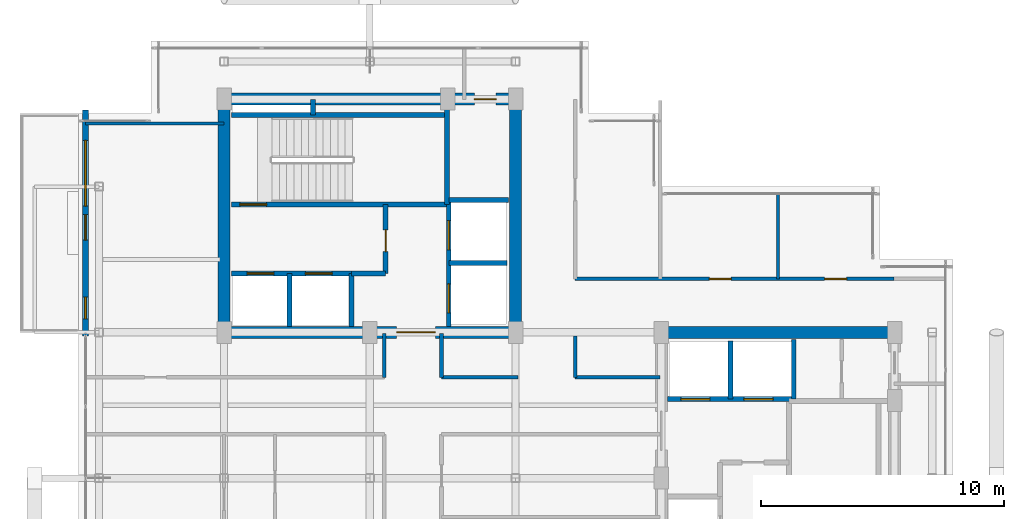
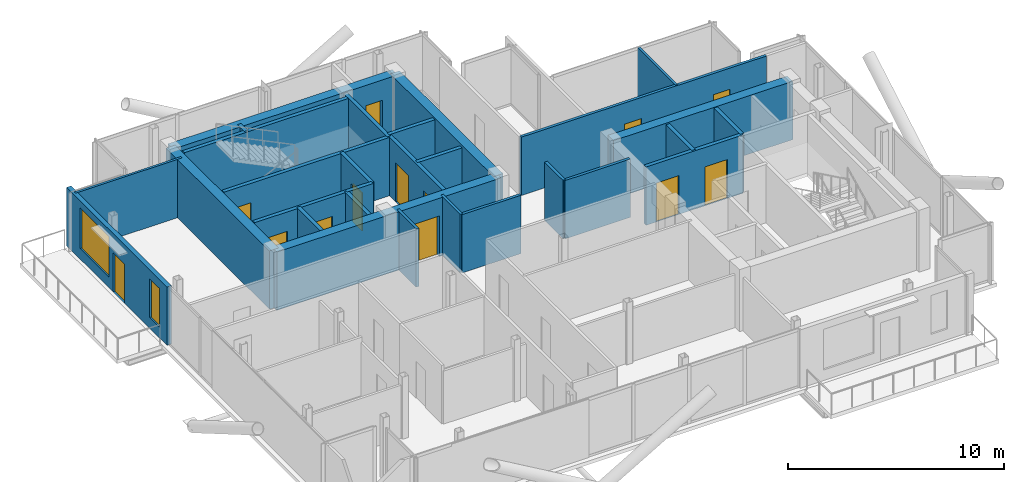
# One storey, part 15 of 18: 29 walls, 13 doors, 2 windows, 15 openings.
"""IFC4 building model written with IfcOpenShell, lengths in metres."""

from ifc_helpers import new_model, si_unit, direction, frame, frame_2d, origin, place, context, subcontext, project, spatial, rectangle, extrude, material, layer, layer_set, type_object, element, fill, save


model = new_model("IFC4")

# Units and contexts
model_context = context("Model", 3, precision=1e-05, world=origin(), true_north=direction((0.0, 1.0)))
body_context = subcontext(model_context, "Body", "Model", "MODEL_VIEW")
ifc_project = project(units=[si_unit("LENGTHUNIT", "METRE"), si_unit("AREAUNIT", "SQUARE_METRE"), si_unit("VOLUMEUNIT", "CUBIC_METRE"), si_unit("PLANEANGLEUNIT", "RADIAN"), si_unit("MASSUNIT", "GRAM", prefix="KILO"), si_unit("THERMODYNAMICTEMPERATUREUNIT", "KELVIN"), si_unit("POWERUNIT", "WATT")], contexts=[model_context])

# Site, building, storey
site_placement = place(None, origin())
site = spatial("IfcSite", under=ifc_project, at=site_placement, CompositionType="ELEMENT")
building_placement = place(site_placement, origin())
building = spatial("IfcBuilding", under=site, at=building_placement, Name="Svarakhadi Broadcast Tower", CompositionType="ELEMENT")
storey_placement = place(building_placement, frame((0.0, 0.0, 260.699951171875)))
storey = spatial("IfcBuildingStorey", under=building, at=storey_placement, Name="L65", CompositionType="ELEMENT", Elevation=260.699951171875)

# Wall, openings, door, windows
ifc_material_1 = material(Name="Concrete C40/50 (IS 456 M50)", Category="concrete")
ifc_layer_1 = layer(ifc_material_1, 0.239990234375)
ifc_layer_set_1 = layer_set([ifc_layer_1], Name="Concrete C40/50 (IS 456 M50)")
wall_type_1 = type_object("IfcWallType", Name="Wall_Ext_240", PredefinedType="SOLIDWALL", material=ifc_layer_set_1)
wall_1_placement = place(storey_placement, frame((0.300048828125, 17.85498046875, 0.0), z_axis=(0.0, 0.0, 1.0), x_axis=(0.0, 1.0, 0.0)))
wall_1 = element("IfcWall", 1, at=wall_1_placement, inside=storey, type_object=wall_type_1, Name="L65 West Tree Balcony Spandrel Wall", PredefinedType="SOLIDWALL", context=body_context, shape_type="SweptSolid", body=[
    extrude(rectangle(XDim=9.2900390625, YDim=0.239990234375, at=frame_2d((4.64501953125, 0.0))), origin(), (0.0, 0.0, 1.0), 3.300048828125),
])
opening_1_placement = place(wall_1_placement, frame((3.945068359375, 0.0, 0.0)))
opening_1 = element("IfcOpeningElement", 2, at=opening_1_placement, cuts=wall_1, Name="Opening ED-06", PredefinedType="OPENING", context=body_context, shape_type="SweptSolid", body=[
    extrude(rectangle(XDim=1.050048828125, YDim=2.199951171875, at=frame_2d((0.52490234375, 1.10009765625))), frame((0.0, 0.1298828125, 0.0), z_axis=(0.0, -1.0, 0.0), x_axis=(1.0, 0.0, 0.0)), (0.0, 0.0, 1.0), 0.260009765625),
])
opening_2_placement = place(wall_1_placement, frame((5.344970703125, 0.0, 0.60009765625)))
opening_2 = element("IfcOpeningElement", 3, at=opening_2_placement, cuts=wall_1, Name="Opening WN-07", PredefinedType="OPENING", context=body_context, shape_type="SweptSolid", body=[
    extrude(rectangle(XDim=2.699951171875, YDim=2.300048828125, at=frame_2d((1.35009765625, 1.14990234375))), frame((0.0, 0.1298828125, 0.0), z_axis=(0.0, -1.0, 0.0), x_axis=(1.0, 0.0, 0.0)), (0.0, 0.0, 1.0), 0.260009765625),
])
opening_3_placement = place(wall_1_placement, frame((0.699951171875, 0.0, 0.60009765625)))
opening_3 = element("IfcOpeningElement", 4, at=opening_3_placement, cuts=wall_1, Name="Opening WN-04", PredefinedType="OPENING", context=body_context, shape_type="SweptSolid", body=[
    extrude(rectangle(XDim=0.89990234375, YDim=2.199951171875, at=frame_2d((0.449951171875, 1.10009765625))), frame((0.0, 0.1298828125, 0.0), z_axis=(0.0, -1.0, 0.0), x_axis=(1.0, 0.0, 0.0)), (0.0, 0.0, 1.0), 0.260009765625),
])
ifc_material_2 = material(Name="Anodised Bronze Aluminium AA 6063-T6", Category="aluminium")
door_type_1 = type_object("IfcDoorType", Name="Door_Ext_ED06", OperationType="SINGLE_SWING_RIGHT", PredefinedType="DOOR", material=ifc_material_2)
door_1_placement = place(opening_1_placement, origin())
door_1 = element("IfcDoor", 5, at=door_1_placement, inside=storey, type_object=door_type_1, Name="L65 West Tree Balcony Door", OperationType="SINGLE_SWING_RIGHT", OverallHeight=2.199951171875, OverallWidth=1.050048828125, PredefinedType="DOOR", context=body_context, shape_type="SweptSolid", body=[
    extrude(rectangle(XDim=1.050048828125, YDim=2.199951171875, at=frame_2d((0.52490234375, 1.10009765625))), frame((0.0, 0.02490234375, 0.0), z_axis=(0.0, -1.0, 0.0), x_axis=(1.0, 0.0, 0.0)), (0.0, 0.0, 1.0), 0.050048828125),
])
fill(opening_1, door_1)
ifc_material_3 = material(Name="Double Low-E Laminated Acoustic Glass IGU 36 mm", Category="glass")
window_type_1 = type_object("IfcWindowType", Name="Win_Resi_WN07", PartitioningType="SINGLE_PANEL", PredefinedType="WINDOW", material=ifc_material_3)
window_1_placement = place(opening_2_placement, origin())
window_1 = element("IfcWindow", 6, at=window_1_placement, inside=storey, type_object=window_type_1, Name="L65 West Tree Balcony Window", OverallHeight=2.300048828125, OverallWidth=2.699951171875, PartitioningType="SINGLE_PANEL", PredefinedType="WINDOW", context=body_context, shape_type="SweptSolid", body=[
    extrude(rectangle(XDim=2.699951171875, YDim=2.300048828125, at=frame_2d((1.35009765625, 1.14990234375))), frame((0.0, 0.030029296875, 0.0), z_axis=(0.0, -1.0, 0.0), x_axis=(1.0, 0.0, 0.0)), (0.0, 0.0, 1.0), 0.06005859375),
])
fill(opening_2, window_1)
window_type_2 = type_object("IfcWindowType", Name="Win_Slot_WN04", PartitioningType="SINGLE_PANEL", PredefinedType="WINDOW", material=ifc_material_3)
window_2_placement = place(opening_3_placement, origin())
window_2 = element("IfcWindow", 7, at=window_2_placement, inside=storey, type_object=window_type_2, Name="L65 West Secondary Bedroom Slot Window", OverallHeight=2.199951171875, OverallWidth=0.89990234375, PartitioningType="SINGLE_PANEL", PredefinedType="WINDOW", context=body_context, shape_type="SweptSolid", body=[
    extrude(rectangle(XDim=0.89990234375, YDim=2.199951171875, at=frame_2d((0.449951171875, 1.10009765625))), frame((0.0, 0.030029296875, 0.0), z_axis=(0.0, -1.0, 0.0), x_axis=(1.0, 0.0, 0.0)), (0.0, 0.0, 1.0), 0.06005859375),
])
fill(opening_3, window_2)

# Walls
ifc_layer_2 = layer(ifc_material_1, 0.199951171875)
ifc_layer_set_2 = layer_set([ifc_layer_2], Name="Concrete C40/50 (IS 456 M50)")
wall_type_2 = type_object("IfcWallType", Name="Wall_Fire_200", PredefinedType="SOLIDWALL", material=ifc_layer_set_2)
wall_2_placement = place(storey_placement, frame((9.659912109375, 26.93994140625, 0.0), z_axis=(0.0, 0.0, 1.0), x_axis=(0.0, 1.0, 0.0)))
element("IfcWall", 8, at=wall_2_placement, inside=storey, type_object=wall_type_2, Name="L65 Wet Riser Shaft East Wall", PredefinedType="SOLIDWALL", context=body_context, shape_type="SweptSolid", body=[
    extrude(rectangle(XDim=0.64013671875, YDim=0.199951171875, at=frame_2d((0.320068359375, 0.0))), origin(), (0.0, 0.0, 1.0), 3.300048828125),
])
ifc_material_4 = material(Name="Fire-Rated Moisture-Resistant Gypsum Board Partition", Category="gypsum")
ifc_layer_3 = layer(ifc_material_4, 0.125)
ifc_layer_set_3 = layer_set([ifc_layer_3], Name="Fire-Rated Moisture-Resistant Gypsum Board Partition")
wall_type_3 = type_object("IfcWallType", Name="Wall_Part_125", PredefinedType="PARTITIONING", material=ifc_layer_set_3)
wall_3_placement = place(storey_placement, frame((28.800048828125, 20.199951171875, 0.0), z_axis=(0.0, 0.0, 1.0), x_axis=(0.0, 1.0, 0.0)))
element("IfcWall", 9, at=wall_3_placement, inside=storey, type_object=wall_type_3, Name="L65 Harbour Sky Club Reading Room Wall", PredefinedType="PARTITIONING", context=body_context, shape_type="SweptSolid", body=[
    extrude(rectangle(XDim=3.5, YDim=0.125, at=frame_2d((1.75, 0.0))), origin(), (0.0, 0.0, 1.0), 3.300048828125),
])
wall_4_placement = place(storey_placement, frame((0.300048828125, 26.60009765625, 0.0), z_axis=(0.0, 0.0, 1.0), x_axis=(1.0, 0.0, 0.0)))
element("IfcWall", 10, at=wall_4_placement, inside=storey, type_object=wall_type_3, Name="L65 Harbour Yoga and Meditation Salon Wall", PredefinedType="PARTITIONING", context=body_context, shape_type="SweptSolid", body=[
    extrude(rectangle(XDim=5.699951171875, YDim=0.125, at=frame_2d((2.85009765625, 0.0))), origin(), (0.0, 0.0, 1.0), 3.300048828125),
])
ifc_material_5 = material(Name="Autoclaved Aerated Concrete Blockwork 150 mm", Category="masonry")
ifc_layer_4 = layer(ifc_material_5, 0.14990234375)
ifc_layer_set_4 = layer_set([ifc_layer_4], Name="Autoclaved Aerated Concrete Blockwork 150 mm")
wall_type_4 = type_object("IfcWallType", Name="Wall_Part_150", PredefinedType="PARTITIONING", material=ifc_layer_set_4)
for number, where, z_axis, x_axis, name in (
    (11, (12.60009765625, 16.14990234375, 0.0), (0.0, 0.0, 1.0), (0.0, 1.0, 0.0), "L65 Upper Tower Concourse Wall"),
    (12, (14.949951171875, 17.949951171875, 0.0), (0.0, 0.0, 1.0), (0.0, -1.0, 0.0), "L65 Upper Tower Concourse Wall"),
):
    element("IfcWall", number, at=place(storey_placement, frame(where, z_axis=z_axis, x_axis=x_axis)), inside=storey, type_object=wall_type_4, Name=name, PredefinedType="PARTITIONING", context=body_context, shape_type="SweptSolid", body=[
        extrude(rectangle(XDim=1.800048828125, YDim=0.14990234375, at=frame_2d((0.89990234375, 0.0))), origin(), (0.0, 0.0, 1.0), 3.300048828125),
    ])
wall_5_placement = place(storey_placement, frame((14.949951171875, 16.14990234375, 0.0), z_axis=(0.0, 0.0, 1.0), x_axis=(1.0, 0.0, 0.0)))
element("IfcWall", 13, at=wall_5_placement, inside=storey, type_object=wall_type_4, Name="L65 Upper Tower Concourse Wall", PredefinedType="PARTITIONING", context=body_context, shape_type="SweptSolid", body=[
    extrude(rectangle(XDim=3.150146484375, YDim=0.14990234375, at=frame_2d((1.5751953125, 0.0))), origin(), (0.0, 0.0, 1.0), 3.300048828125),
])

# Wall, openings, doors
wall_6_placement = place(storey_placement, frame((20.449951171875, 20.199951171875, 0.0), z_axis=(0.0, 0.0, 1.0), x_axis=(1.0, 0.0, 0.0)))
wall_6 = element("IfcWall", 14, at=wall_6_placement, inside=storey, type_object=wall_type_4, Name="L65 Upper Tower Concourse Wall", PredefinedType="PARTITIONING", context=body_context, shape_type="SweptSolid", body=[
    extrude(rectangle(XDim=13.130126953125, YDim=0.14990234375, at=frame_2d((6.56494140625, 0.0))), origin(), (0.0, 0.0, 1.0), 3.300048828125),
])
opening_4_placement = place(wall_6_placement, frame((5.52490234375, 0.0, 0.0)))
opening_4 = element("IfcOpeningElement", 15, at=opening_4_placement, cuts=wall_6, Name="Opening D-15", PredefinedType="OPENING", context=body_context, shape_type="SweptSolid", body=[
    extrude(rectangle(XDim=0.89990234375, YDim=2.10009765625, at=frame_2d((0.449951171875, 1.050048828125))), frame((0.0, 0.0849609375, 0.0), z_axis=(0.0, -1.0, 0.0), x_axis=(1.0, 0.0, 0.0)), (0.0, 0.0, 1.0), 0.169921875),
])
opening_5_placement = place(wall_6_placement, frame((10.27490234375, 0.0, 0.0)))
opening_5 = element("IfcOpeningElement", 16, at=opening_5_placement, cuts=wall_6, Name="Opening D-14", PredefinedType="OPENING", context=body_context, shape_type="SweptSolid", body=[
    extrude(rectangle(XDim=0.89990234375, YDim=2.10009765625, at=frame_2d((0.449951171875, 1.050048828125))), frame((0.0, 0.0849609375, 0.0), z_axis=(0.0, -1.0, 0.0), x_axis=(1.0, 0.0, 0.0)), (0.0, 0.0, 1.0), 0.169921875),
])
ifc_material_6 = material(Name="Solid-Core Teak Veneer Acoustic Timber Leaf", Category="wood")
door_type_2 = type_object("IfcDoorType", Name="Door_Int_D14", OperationType="SINGLE_SWING_LEFT", PredefinedType="DOOR", material=ifc_material_6)
door_2_placement = place(opening_5_placement, origin())
door_2 = element("IfcDoor", 17, at=door_2_placement, inside=storey, type_object=door_type_2, Name="L65 Private Sommelier Tasting Pantry Door", OperationType="SINGLE_SWING_LEFT", OverallHeight=2.10009765625, OverallWidth=0.89990234375, PredefinedType="DOOR", context=body_context, shape_type="SweptSolid", body=[
    extrude(rectangle(XDim=0.89990234375, YDim=2.10009765625, at=frame_2d((0.449951171875, 1.050048828125))), frame((0.0, 0.02490234375, 0.0), z_axis=(0.0, -1.0, 0.0), x_axis=(1.0, 0.0, 0.0)), (0.0, 0.0, 1.0), 0.050048828125),
])
fill(opening_5, door_2)
door_type_3 = type_object("IfcDoorType", Name="Door_Int_D15", OperationType="SINGLE_SWING_RIGHT", PredefinedType="DOOR", material=ifc_material_6)
door_3_placement = place(opening_4_placement, origin())
door_3 = element("IfcDoor", 18, at=door_3_placement, inside=storey, type_object=door_type_3, Name="L65 Harbour Sky Club Reading Room Door", OperationType="SINGLE_SWING_RIGHT", OverallHeight=2.10009765625, OverallWidth=0.89990234375, PredefinedType="DOOR", context=body_context, shape_type="SweptSolid", body=[
    extrude(rectangle(XDim=0.89990234375, YDim=2.10009765625, at=frame_2d((0.449951171875, 1.050048828125))), frame((0.0, 0.02490234375, 0.0), z_axis=(0.0, -1.0, 0.0), x_axis=(1.0, 0.0, 0.0)), (0.0, 0.0, 1.0), 0.050048828125),
])
fill(opening_4, door_3)

# Walls
wall_7_placement = place(storey_placement, frame((20.449951171875, 17.85009765625, 0.0), z_axis=(0.0, 0.0, 1.0), x_axis=(0.0, -1.0, 0.0)))
element("IfcWall", 19, at=wall_7_placement, inside=storey, type_object=wall_type_4, Name="L65 Upper Tower Concourse Wall", PredefinedType="PARTITIONING", context=body_context, shape_type="SweptSolid", body=[
    extrude(rectangle(XDim=1.7001953125, YDim=0.14990234375, at=frame_2d((0.85009765625, 0.0))), origin(), (0.0, 0.0, 1.0), 3.300048828125),
])
wall_8_placement = place(storey_placement, frame((20.449951171875, 16.14990234375, 0.0), z_axis=(0.0, 0.0, 1.0), x_axis=(1.0, 0.0, 0.0)))
element("IfcWall", 20, at=wall_8_placement, inside=storey, type_object=wall_type_4, Name="L65 Upper Tower Concourse Wall", PredefinedType="PARTITIONING", context=body_context, shape_type="SweptSolid", body=[
    extrude(rectangle(XDim=3.5, YDim=0.14990234375, at=frame_2d((1.75, 0.0))), origin(), (0.0, 0.0, 1.0), 3.300048828125),
])

# Wall, opening, door
ifc_material_7 = material(Name="Concrete C50/60 (IS 456 M60)", Category="concrete")
ifc_layer_5 = layer(ifc_material_7, 0.199951171875)
ifc_layer_set_5 = layer_set([ifc_layer_5], Name="Concrete C50/60 (IS 456 M60)")
wall_type_5 = type_object("IfcWallType", Name="Wall_Shear_200", PredefinedType="SHEAR", material=ifc_layer_set_5)
wall_9_placement = place(storey_placement, frame((6.300048828125, 23.260009765625, 0.0), z_axis=(0.0, 0.0, 1.0), x_axis=(1.0, 0.0, 0.0)))
wall_9 = element("IfcWall", 21, at=wall_9_placement, inside=storey, type_object=wall_type_5, Name="L65 Stair ST-01 South RC Shaft Wall", PredefinedType="SHEAR", context=body_context, shape_type="SweptSolid", body=[
    extrude(rectangle(XDim=8.8798828125, YDim=0.199951171875, at=frame_2d((4.43994140625, 0.0))), origin(), (0.0, 0.0, 1.0), 3.300048828125),
])
opening_6_placement = place(wall_9_placement, frame((0.35009765625, 0.0, 0.0)))
opening_6 = element("IfcOpeningElement", 22, at=opening_6_placement, cuts=wall_9, Name="Opening D-01", PredefinedType="OPENING", context=body_context, shape_type="SweptSolid", body=[
    extrude(rectangle(XDim=1.10009765625, YDim=2.199951171875, at=frame_2d((0.550048828125, 1.10009765625))), frame((0.0, 0.10986328125, 0.0), z_axis=(0.0, -1.0, 0.0), x_axis=(1.0, 0.0, 0.0)), (0.0, 0.0, 1.0), 0.219970703125),
])
ifc_material_8 = material(Name="Galvanised Powder-Coated Fire-Rated Steel Leaf", Category="steel")
door_type_4 = type_object("IfcDoorType", Name="Door_Stair_D01", OperationType="SINGLE_SWING_LEFT", PredefinedType="DOOR", material=ifc_material_8)
door_4_placement = place(opening_6_placement, origin())
door_4 = element("IfcDoor", 23, at=door_4_placement, inside=storey, type_object=door_type_4, Name="L65 Protected Exit Stair ST-01 Fire Door", OperationType="SINGLE_SWING_LEFT", OverallHeight=2.199951171875, OverallWidth=1.10009765625, PredefinedType="DOOR", context=body_context, shape_type="SweptSolid", body=[
    extrude(rectangle(XDim=1.10009765625, YDim=2.199951171875, at=frame_2d((0.550048828125, 1.10009765625))), frame((0.0, 0.02490234375, 0.0), z_axis=(0.0, -1.0, 0.0), x_axis=(1.0, 0.0, 0.0)), (0.0, 0.0, 1.0), 0.050048828125),
])
fill(opening_6, door_4)

# Walls
wall_10_placement = place(storey_placement, frame((6.300048828125, 26.93994140625, 0.0), z_axis=(0.0, 0.0, 1.0), x_axis=(1.0, 0.0, 0.0)))
element("IfcWall", 24, at=wall_10_placement, inside=storey, type_object=wall_type_5, Name="L65 Stair ST-01 North RC Shaft Wall", PredefinedType="SHEAR", context=body_context, shape_type="SweptSolid", body=[
    extrude(rectangle(XDim=8.8798828125, YDim=0.199951171875, at=frame_2d((4.43994140625, 0.0))), origin(), (0.0, 0.0, 1.0), 3.300048828125),
])
wall_11_placement = place(storey_placement, frame((15.179931640625, 23.260009765625, 0.0), z_axis=(0.0, 0.0, 1.0), x_axis=(0.0, 1.0, 0.0)))
element("IfcWall", 25, at=wall_11_placement, inside=storey, type_object=wall_type_5, Name="L65 Stair ST-01 East RC Shaft Wall", PredefinedType="SHEAR", context=body_context, shape_type="SweptSolid", body=[
    extrude(rectangle(XDim=4.0400390625, YDim=0.199951171875, at=frame_2d((2.02001953125, 0.0))), origin(), (0.0, 0.0, 1.0), 3.300048828125),
])

# Wall, openings, doors
wall_12_placement = place(storey_placement, frame((6.300048828125, 20.419921875, 0.0), z_axis=(0.0, 0.0, 1.0), x_axis=(1.0, 0.0, 0.0)))
wall_12 = element("IfcWall", 26, at=wall_12_placement, inside=storey, type_object=wall_type_5, Name="L65 Firefighting Lift LF-01/02 Shaft Wall", PredefinedType="SHEAR", context=body_context, shape_type="SweptSolid", body=[
    extrude(rectangle(XDim=4.949951171875, YDim=0.199951171875, at=frame_2d((2.47509765625, 0.0))), origin(), (0.0, 0.0, 1.0), 3.300048828125),
])
opening_7_placement = place(wall_12_placement, frame((0.64990234375, 0.0, 0.0)))
opening_7 = element("IfcOpeningElement", 27, at=opening_7_placement, cuts=wall_12, Name="Opening LD-01", PredefinedType="OPENING", context=body_context, shape_type="SweptSolid", body=[
    extrude(rectangle(XDim=1.10009765625, YDim=2.199951171875, at=frame_2d((0.550048828125, 1.10009765625))), frame((0.0, 0.10986328125, 0.0), z_axis=(0.0, -1.0, 0.0), x_axis=(1.0, 0.0, 0.0)), (0.0, 0.0, 1.0), 0.219970703125),
])
opening_8_placement = place(wall_12_placement, frame((3.050048828125, 0.0, 0.0)))
opening_8 = element("IfcOpeningElement", 28, at=opening_8_placement, cuts=wall_12, Name="Opening LD-01", PredefinedType="OPENING", context=body_context, shape_type="SweptSolid", body=[
    extrude(rectangle(XDim=1.10009765625, YDim=2.199951171875, at=frame_2d((0.550048828125, 1.10009765625))), frame((0.0, 0.10986328125, 0.0), z_axis=(0.0, -1.0, 0.0), x_axis=(1.0, 0.0, 0.0)), (0.0, 0.0, 1.0), 0.219970703125),
])
door_type_5 = type_object("IfcDoorType", Name="Door_Lift_LD01", OperationType="SLIDING_TO_LEFT", PredefinedType="DOOR", material=ifc_material_8)
door_5_placement = place(opening_7_placement, origin())
door_5 = element("IfcDoor", 29, at=door_5_placement, inside=storey, type_object=door_type_5, Name="L65 Firefighting Lift LF-01 Landing Door", OperationType="SLIDING_TO_LEFT", OverallHeight=2.199951171875, OverallWidth=1.10009765625, PredefinedType="DOOR", context=body_context, shape_type="SweptSolid", body=[
    extrude(rectangle(XDim=1.10009765625, YDim=2.199951171875, at=frame_2d((0.550048828125, 1.10009765625))), frame((0.0, 0.02490234375, 0.0), z_axis=(0.0, -1.0, 0.0), x_axis=(1.0, 0.0, 0.0)), (0.0, 0.0, 1.0), 0.050048828125),
])
fill(opening_7, door_5)
door_6_placement = place(opening_8_placement, origin())
door_6 = element("IfcDoor", 30, at=door_6_placement, inside=storey, type_object=door_type_5, Name="L65 Firefighting Lift LF-02 Landing Door", OperationType="SLIDING_TO_LEFT", OverallHeight=2.199951171875, OverallWidth=1.10009765625, PredefinedType="DOOR", context=body_context, shape_type="SweptSolid", body=[
    extrude(rectangle(XDim=1.10009765625, YDim=2.199951171875, at=frame_2d((0.550048828125, 1.10009765625))), frame((0.0, 0.02490234375, 0.0), z_axis=(0.0, -1.0, 0.0), x_axis=(1.0, 0.0, 0.0)), (0.0, 0.0, 1.0), 0.050048828125),
])
fill(opening_8, door_6)

# Walls
for number, where, z_axis, x_axis, name in (
    (31, (8.699951171875, 18.25, 0.0), (0.0, 0.0, 1.0), (0.0, 1.0, 0.0), "L65 Firefighting Lift LF-01/02 Divider Wall"),
    (32, (11.25, 18.25, 0.0), (0.0, 0.0, 1.0), (0.0, 1.0, 0.0), "L65 Firefighting Lift LF-02 East Wall"),
):
    element("IfcWall", number, at=place(storey_placement, frame(where, z_axis=z_axis, x_axis=x_axis)), inside=storey, type_object=wall_type_5, Name=name, PredefinedType="SHEAR", context=body_context, shape_type="SweptSolid", body=[
        extrude(rectangle(XDim=2.169921875, YDim=0.199951171875, at=frame_2d((1.0849609375, 0.0))), origin(), (0.0, 0.0, 1.0), 3.300048828125),
    ])
wall_13_placement = place(storey_placement, frame((11.25, 20.419921875, 0.0), z_axis=(0.0, 0.0, 1.0), x_axis=(1.0, 0.0, 0.0)))
element("IfcWall", 33, at=wall_13_placement, inside=storey, type_object=wall_type_5, Name="L65 West Firefighting Lobby South Wall", PredefinedType="SHEAR", context=body_context, shape_type="SweptSolid", body=[
    extrude(rectangle(XDim=1.39990234375, YDim=0.199951171875, at=frame_2d((0.699951171875, 0.0))), origin(), (0.0, 0.0, 1.0), 3.300048828125),
])

# Wall, opening, door
wall_14_placement = place(storey_placement, frame((12.64990234375, 20.419921875, 0.0), z_axis=(0.0, 0.0, 1.0), x_axis=(0.0, 1.0, 0.0)))
wall_14 = element("IfcWall", 34, at=wall_14_placement, inside=storey, type_object=wall_type_5, Name="L65 West Firefighting Lobby East Wall", PredefinedType="SHEAR", context=body_context, shape_type="SweptSolid", body=[
    extrude(rectangle(XDim=2.840087890625, YDim=0.199951171875, at=frame_2d((1.419921875, 0.0))), origin(), (0.0, 0.0, 1.0), 3.300048828125),
])
opening_9_placement = place(wall_14_placement, frame((0.89990234375, 0.0, 0.0)))
opening_9 = element("IfcOpeningElement", 35, at=opening_9_placement, cuts=wall_14, Name="Opening D-04", PredefinedType="OPENING", context=body_context, shape_type="SweptSolid", body=[
    extrude(rectangle(XDim=0.89990234375, YDim=2.14990234375, at=frame_2d((0.449951171875, 1.074951171875))), frame((0.0, 0.10986328125, 0.0), z_axis=(0.0, -1.0, 0.0), x_axis=(1.0, 0.0, 0.0)), (0.0, 0.0, 1.0), 0.219970703125),
])
door_type_6 = type_object("IfcDoorType", Name="Door_Fire_D04", OperationType="SINGLE_SWING_RIGHT", PredefinedType="DOOR", material=ifc_material_8)
door_7_placement = place(opening_9_placement, origin())
door_7 = element("IfcDoor", 36, at=door_7_placement, inside=storey, type_object=door_type_6, Name="L65 West Firefighting Lobby Fire Door", OperationType="SINGLE_SWING_RIGHT", OverallHeight=2.14990234375, OverallWidth=0.89990234375, PredefinedType="DOOR", context=body_context, shape_type="SweptSolid", body=[
    extrude(rectangle(XDim=0.89990234375, YDim=2.14990234375, at=frame_2d((0.449951171875, 1.074951171875))), frame((0.0, 0.02490234375, 0.0), z_axis=(0.0, -1.0, 0.0), x_axis=(1.0, 0.0, 0.0)), (0.0, 0.0, 1.0), 0.050048828125),
])
fill(opening_9, door_7)

# Wall, openings, doors
wall_15_placement = place(storey_placement, frame((15.25, 18.25, 0.0), z_axis=(0.0, 0.0, 1.0), x_axis=(0.0, 1.0, 0.0)))
wall_15 = element("IfcWall", 37, at=wall_15_placement, inside=storey, type_object=wall_type_5, Name="L65 High-Rise Lift LF-13/14 West Shaft Wall", PredefinedType="SHEAR", context=body_context, shape_type="SweptSolid", body=[
    extrude(rectangle(XDim=5.199951171875, YDim=0.199951171875, at=frame_2d((2.60009765625, 0.0))), origin(), (0.0, 0.0, 1.0), 3.300048828125),
])
opening_10_placement = place(wall_15_placement, frame((0.550048828125, 0.0, 0.0)))
opening_10 = element("IfcOpeningElement", 38, at=opening_10_placement, cuts=wall_15, Name="Opening LD-02", PredefinedType="OPENING", context=body_context, shape_type="SweptSolid", body=[
    extrude(rectangle(XDim=1.199951171875, YDim=2.199951171875, at=frame_2d((0.60009765625, 1.10009765625))), frame((0.0, 0.10986328125, 0.0), z_axis=(0.0, -1.0, 0.0), x_axis=(1.0, 0.0, 0.0)), (0.0, 0.0, 1.0), 0.219970703125),
])
opening_11_placement = place(wall_15_placement, frame((3.14990234375, 0.0, 0.0)))
opening_11 = element("IfcOpeningElement", 39, at=opening_11_placement, cuts=wall_15, Name="Opening LD-02", PredefinedType="OPENING", context=body_context, shape_type="SweptSolid", body=[
    extrude(rectangle(XDim=1.199951171875, YDim=2.199951171875, at=frame_2d((0.60009765625, 1.10009765625))), frame((0.0, 0.10986328125, 0.0), z_axis=(0.0, -1.0, 0.0), x_axis=(1.0, 0.0, 0.0)), (0.0, 0.0, 1.0), 0.219970703125),
])
door_type_7 = type_object("IfcDoorType", Name="Door_Lift_LD02", OperationType="SLIDING_TO_RIGHT", PredefinedType="DOOR", material=ifc_material_8)
door_8_placement = place(opening_10_placement, origin())
door_8 = element("IfcDoor", 40, at=door_8_placement, inside=storey, type_object=door_type_7, Name="L65 High-Rise Lift LF-13 Landing Door", OperationType="SLIDING_TO_RIGHT", OverallHeight=2.199951171875, OverallWidth=1.199951171875, PredefinedType="DOOR", context=body_context, shape_type="SweptSolid", body=[
    extrude(rectangle(XDim=1.199951171875, YDim=2.199951171875, at=frame_2d((0.60009765625, 1.10009765625))), frame((0.0, 0.02490234375, 0.0), z_axis=(0.0, -1.0, 0.0), x_axis=(1.0, 0.0, 0.0)), (0.0, 0.0, 1.0), 0.050048828125),
])
fill(opening_10, door_8)
door_9_placement = place(opening_11_placement, origin())
door_9 = element("IfcDoor", 41, at=door_9_placement, inside=storey, type_object=door_type_7, Name="L65 High-Rise Lift LF-14 Landing Door", OperationType="SLIDING_TO_RIGHT", OverallHeight=2.199951171875, OverallWidth=1.199951171875, PredefinedType="DOOR", context=body_context, shape_type="SweptSolid", body=[
    extrude(rectangle(XDim=1.199951171875, YDim=2.199951171875, at=frame_2d((0.60009765625, 1.10009765625))), frame((0.0, 0.02490234375, 0.0), z_axis=(0.0, -1.0, 0.0), x_axis=(1.0, 0.0, 0.0)), (0.0, 0.0, 1.0), 0.050048828125),
])
fill(opening_11, door_9)

# Walls
wall_16_placement = place(storey_placement, frame((15.25, 20.85009765625, 0.0), z_axis=(0.0, 0.0, 1.0), x_axis=(1.0, 0.0, 0.0)))
element("IfcWall", 42, at=wall_16_placement, inside=storey, type_object=wall_type_5, Name="L65 High-Rise Lift LF-13/14 Divider", PredefinedType="SHEAR", context=body_context, shape_type="SweptSolid", body=[
    extrude(rectangle(XDim=2.39990234375, YDim=0.199951171875, at=frame_2d((1.199951171875, 0.0))), origin(), (0.0, 0.0, 1.0), 3.300048828125),
])
wall_17_placement = place(storey_placement, frame((15.25, 23.449951171875, 0.0), z_axis=(0.0, 0.0, 1.0), x_axis=(1.0, 0.0, 0.0)))
element("IfcWall", 43, at=wall_17_placement, inside=storey, type_object=wall_type_5, Name="L65 High-Rise Lift LF-13/14 North Wall", PredefinedType="SHEAR", context=body_context, shape_type="SweptSolid", body=[
    extrude(rectangle(XDim=2.449951171875, YDim=0.199951171875, at=frame_2d((1.22509765625, 0.0))), origin(), (0.0, 0.0, 1.0), 3.300048828125),
])

# Wall, openings, doors
wall_18_placement = place(storey_placement, frame((24.25, 15.25, 0.0), z_axis=(0.0, 0.0, 1.0), x_axis=(1.0, 0.0, 0.0)))
wall_18 = element("IfcWall", 44, at=wall_18_placement, inside=storey, type_object=wall_type_5, Name="L65 High-Rise Lift LF-15/16 South Shaft Wall", PredefinedType="SHEAR", context=body_context, shape_type="SweptSolid", body=[
    extrude(rectangle(XDim=5.199951171875, YDim=0.199951171875, at=frame_2d((2.60009765625, 0.0))), origin(), (0.0, 0.0, 1.0), 3.300048828125),
])
opening_12_placement = place(wall_18_placement, frame((0.550048828125, 0.0, 0.0)))
opening_12 = element("IfcOpeningElement", 45, at=opening_12_placement, cuts=wall_18, Name="Opening LD-02", PredefinedType="OPENING", context=body_context, shape_type="SweptSolid", body=[
    extrude(rectangle(XDim=1.199951171875, YDim=2.199951171875, at=frame_2d((0.60009765625, 1.10009765625))), frame((0.0, 0.10986328125, 0.0), z_axis=(0.0, -1.0, 0.0), x_axis=(1.0, 0.0, 0.0)), (0.0, 0.0, 1.0), 0.219970703125),
])
opening_13_placement = place(wall_18_placement, frame((3.14990234375, 0.0, 0.0)))
opening_13 = element("IfcOpeningElement", 46, at=opening_13_placement, cuts=wall_18, Name="Opening LD-02", PredefinedType="OPENING", context=body_context, shape_type="SweptSolid", body=[
    extrude(rectangle(XDim=1.199951171875, YDim=2.199951171875, at=frame_2d((0.60009765625, 1.10009765625))), frame((0.0, 0.10986328125, 0.0), z_axis=(0.0, -1.0, 0.0), x_axis=(1.0, 0.0, 0.0)), (0.0, 0.0, 1.0), 0.219970703125),
])
door_10_placement = place(opening_12_placement, origin())
door_10 = element("IfcDoor", 47, at=door_10_placement, inside=storey, type_object=door_type_7, Name="L65 High-Rise Lift LF-15 Landing Door", OperationType="SLIDING_TO_RIGHT", OverallHeight=2.199951171875, OverallWidth=1.199951171875, PredefinedType="DOOR", context=body_context, shape_type="SweptSolid", body=[
    extrude(rectangle(XDim=1.199951171875, YDim=2.199951171875, at=frame_2d((0.60009765625, 1.10009765625))), frame((0.0, 0.02490234375, 0.0), z_axis=(0.0, -1.0, 0.0), x_axis=(1.0, 0.0, 0.0)), (0.0, 0.0, 1.0), 0.050048828125),
])
fill(opening_12, door_10)
door_11_placement = place(opening_13_placement, origin())
door_11 = element("IfcDoor", 48, at=door_11_placement, inside=storey, type_object=door_type_7, Name="L65 High-Rise Lift LF-16 Landing Door", OperationType="SLIDING_TO_RIGHT", OverallHeight=2.199951171875, OverallWidth=1.199951171875, PredefinedType="DOOR", context=body_context, shape_type="SweptSolid", body=[
    extrude(rectangle(XDim=1.199951171875, YDim=2.199951171875, at=frame_2d((0.60009765625, 1.10009765625))), frame((0.0, 0.02490234375, 0.0), z_axis=(0.0, -1.0, 0.0), x_axis=(1.0, 0.0, 0.0)), (0.0, 0.0, 1.0), 0.050048828125),
])
fill(opening_13, door_11)

# Walls
wall_19_placement = place(storey_placement, frame((26.85009765625, 15.25, 0.0), z_axis=(0.0, 0.0, 1.0), x_axis=(0.0, 1.0, 0.0)))
element("IfcWall", 49, at=wall_19_placement, inside=storey, type_object=wall_type_5, Name="L65 High-Rise Lift LF-15/16 Divider", PredefinedType="SHEAR", context=body_context, shape_type="SweptSolid", body=[
    extrude(rectangle(XDim=2.39990234375, YDim=0.199951171875, at=frame_2d((1.199951171875, 0.0))), origin(), (0.0, 0.0, 1.0), 3.300048828125),
])
wall_20_placement = place(storey_placement, frame((29.449951171875, 15.25, 0.0), z_axis=(0.0, 0.0, 1.0), x_axis=(0.0, 1.0, 0.0)))
element("IfcWall", 50, at=wall_20_placement, inside=storey, type_object=wall_type_5, Name="L65 High-Rise Lift LF-15/16 East Wall", PredefinedType="SHEAR", context=body_context, shape_type="SweptSolid", body=[
    extrude(rectangle(XDim=2.449951171875, YDim=0.199951171875, at=frame_2d((1.22509765625, 0.0))), origin(), (0.0, 0.0, 1.0), 3.300048828125),
])

# Wall, opening, door
ifc_layer_6 = layer(ifc_material_7, 0.5)
ifc_layer_set_6 = layer_set([ifc_layer_6], Name="Concrete C50/60 (IS 456 M60)")
wall_type_6 = type_object("IfcWallType", Name="Wall_Shear_500", PredefinedType="SHEAR", material=ifc_layer_set_6)
wall_21_placement = place(storey_placement, frame((6.0, 18.0, 0.0), z_axis=(0.0, 0.0, 1.0), x_axis=(1.0, 0.0, 0.0)))
wall_21 = element("IfcWall", 51, at=wall_21_placement, inside=storey, type_object=wall_type_6, Name="L65 West Core South Shear Wall", PredefinedType="SHEAR", context=body_context, shape_type="SweptSolid", body=[
    extrude(rectangle(XDim=12.0, YDim=0.5, at=frame_2d((6.0, 0.0))), origin(), (0.0, 0.0, 1.0), 3.300048828125),
])
opening_14_placement = place(wall_21_placement, frame((7.10009765625, 0.0, 0.0)))
opening_14 = element("IfcOpeningElement", 52, at=opening_14_placement, cuts=wall_21, Name="Opening D-05", PredefinedType="OPENING", context=body_context, shape_type="SweptSolid", body=[
    extrude(rectangle(XDim=1.60009765625, YDim=2.300048828125, at=frame_2d((0.800048828125, 1.14990234375))), frame((0.0, 0.260009765625, 0.0), z_axis=(0.0, -1.0, 0.0), x_axis=(1.0, 0.0, 0.0)), (0.0, 0.0, 1.0), 0.52001953125),
])
door_type_8 = type_object("IfcDoorType", Name="Door_Lobby_D05", OperationType="DOUBLE_DOOR_SLIDING", PredefinedType="DOOR", material=ifc_material_2)
door_12_placement = place(opening_14_placement, origin())
door_12 = element("IfcDoor", 53, at=door_12_placement, inside=storey, type_object=door_type_8, Name="L65 West Core Passenger Lift Lobby Entrance Door", OperationType="DOUBLE_DOOR_SLIDING", OverallHeight=2.300048828125, OverallWidth=1.60009765625, PredefinedType="DOOR", context=body_context, shape_type="SweptSolid", body=[
    extrude(rectangle(XDim=1.60009765625, YDim=2.300048828125, at=frame_2d((0.800048828125, 1.14990234375))), frame((0.0, 0.02490234375, 0.0), z_axis=(0.0, -1.0, 0.0), x_axis=(1.0, 0.0, 0.0)), (0.0, 0.0, 1.0), 0.050048828125),
])
fill(opening_14, door_12)

wall_22_placement = place(storey_placement, frame((6.0, 27.60009765625, 0.0), z_axis=(0.0, 0.0, 1.0), x_axis=(1.0, 0.0, 0.0)))
wall_22 = element("IfcWall", 54, at=wall_22_placement, inside=storey, type_object=wall_type_6, Name="L65 West Core North Shear Wall", PredefinedType="SHEAR", context=body_context, shape_type="SweptSolid", body=[
    extrude(rectangle(XDim=12.0, YDim=0.5, at=frame_2d((6.0, 0.0))), origin(), (0.0, 0.0, 1.0), 3.300048828125),
])
opening_15_placement = place(wall_22_placement, frame((10.300048828125, 0.0, 0.0)))
opening_15 = element("IfcOpeningElement", 55, at=opening_15_placement, cuts=wall_22, Name="Opening D-03", PredefinedType="OPENING", context=body_context, shape_type="SweptSolid", body=[
    extrude(rectangle(XDim=0.89990234375, YDim=2.14990234375, at=frame_2d((0.449951171875, 1.074951171875))), frame((0.0, 0.260009765625, 0.0), z_axis=(0.0, -1.0, 0.0), x_axis=(1.0, 0.0, 0.0)), (0.0, 0.0, 1.0), 0.52001953125),
])
door_type_9 = type_object("IfcDoorType", Name="Door_Fire_D03", OperationType="SINGLE_SWING_LEFT", PredefinedType="DOOR", material=ifc_material_8)
door_13_placement = place(opening_15_placement, origin())
door_13 = element("IfcDoor", 56, at=door_13_placement, inside=storey, type_object=door_type_9, Name="L65 Core Meter Cupboard Door", OperationType="SINGLE_SWING_LEFT", OverallHeight=2.14990234375, OverallWidth=0.89990234375, PredefinedType="DOOR", context=body_context, shape_type="SweptSolid", body=[
    extrude(rectangle(XDim=0.89990234375, YDim=2.14990234375, at=frame_2d((0.449951171875, 1.074951171875))), frame((0.0, 0.02490234375, 0.0), z_axis=(0.0, -1.0, 0.0), x_axis=(1.0, 0.0, 0.0)), (0.0, 0.0, 1.0), 0.050048828125),
])
fill(opening_15, door_13)

# Walls
for number, where, z_axis, x_axis, name in (
    (57, (6.0, 18.0, 0.0), (0.0, 0.0, 1.0), (0.0, 1.0, 0.0), "L65 West Core West Shear Wall"),
    (58, (18.0, 18.0, 0.0), (0.0, 0.0, 1.0), (0.0, 1.0, 0.0), "L65 West Core East Shear Wall"),
    (59, (24.0, 18.0, 0.0), (0.0, 0.0, 1.0), (1.0, 0.0, 0.0), "L65 East Core North Shear Wall"),
):
    element("IfcWall", number, at=place(storey_placement, frame(where, z_axis=z_axis, x_axis=x_axis)), inside=storey, type_object=wall_type_6, Name=name, PredefinedType="SHEAR", context=body_context, shape_type="SweptSolid", body=[
        extrude(rectangle(XDim=9.60009765625, YDim=0.5, at=frame_2d((4.800048828125, 0.0))), origin(), (0.0, 0.0, 1.0), 3.300048828125),
    ])

save(model, "model.ifc")
